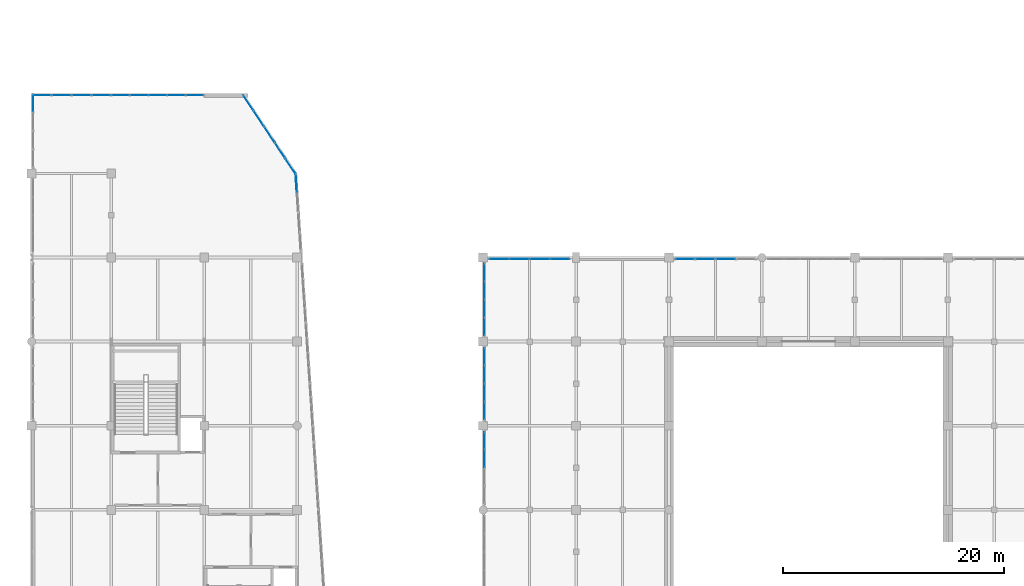
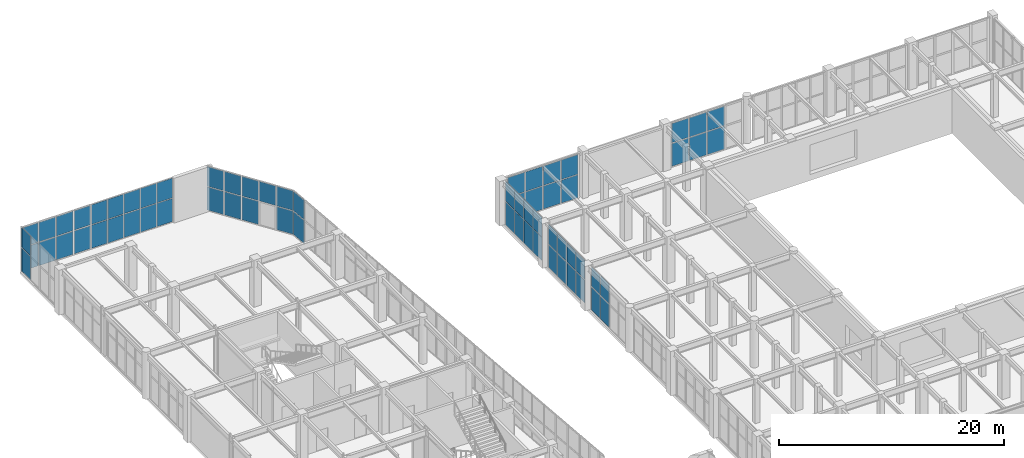
# One storey, part 100 of 128: 65 plates, 10 elements without a shape of their own.
"""IFC4 building model written with IfcOpenShell, lengths in metres."""

from ifc_helpers import new_model, si_unit, direction, frame, origin, origin_2d, place, context, subcontext, project, spatial, rectangle, extrude, material, layer, layer_set, type_object, element, aggregate, save


model = new_model("IFC4")

# Units and contexts
model_context = context("Model", 3, precision=1e-05, world=origin(), true_north=direction((0.0, 1.0)))
body_context = subcontext(model_context, "Body", "Model", "MODEL_VIEW")
ifc_project = project(units=[si_unit("LENGTHUNIT", "METRE"), si_unit("AREAUNIT", "SQUARE_METRE"), si_unit("VOLUMEUNIT", "CUBIC_METRE"), si_unit("PLANEANGLEUNIT", "RADIAN"), si_unit("MASSUNIT", "GRAM", prefix="KILO")], contexts=[model_context])

# Site, building, storey
site_placement = place(None, origin())
site = spatial("IfcSite", under=ifc_project, at=site_placement, CompositionType="ELEMENT")
building_placement = place(site_placement, origin())
building = spatial("IfcBuilding", under=site, at=building_placement, Name="Xicomal Pleat Aquarium", CompositionType="ELEMENT")
storey_placement = place(building_placement, frame((0.0, 0.0, 5.39990234375)))
storey = spatial("IfcBuildingStorey", under=building, at=storey_placement, Name="L02", CompositionType="ELEMENT", Elevation=5.39990234375)

# Curtain wall, plates
ifc_material_1 = material(Name="Bronze anodized aluminium 6063-T6", Category="aluminium")
ifc_layer_1 = layer(ifc_material_1, 0.159912109375)
ifc_layer_set_1 = layer_set([ifc_layer_1], Name="Bronze anodized aluminium 6063-T6")
curtain_wall_type_1 = type_object("IfcCurtainWallType", Name="CW-SYS-07", PredefinedType="NOTDEFINED", material=ifc_layer_set_1)
curtain_wall_1_placement = place(storey_placement, origin())
curtain_wall_1 = element("IfcCurtainWall", 1, at=curtain_wall_1_placement, inside=storey, type_object=curtain_wall_type_1, Name="L02 unitised curtain wall CW-L02-100", PredefinedType="NOTDEFINED")
ifc_material_2 = material(Name="Insulated low-E laminated glass", Category="glass")
ifc_layer_2 = layer(ifc_material_2, 0.028076171875)
ifc_layer_set_2 = layer_set([ifc_layer_2], Name="Insulated low-E laminated glass")
plate_type_1 = type_object("IfcPlateType", Name="CWP-GLZ-28", PredefinedType="CURTAIN_PANEL", material=ifc_layer_set_2)
plate_1_placement = place(storey_placement, frame((43.93994140625, 65.419921875, 0.0751953125), z_axis=(0.0, 0.0, 1.0), x_axis=(0.0, 1.0, 0.0)))
plate_1 = element("IfcPlate", 2, at=plate_1_placement, type_object=plate_type_1, Name="CW-07 panel 3.1", PredefinedType="CURTAIN_PANEL", context=body_context, shape_type="SweptSolid", body=[
    extrude(rectangle(XDim=1.56494140625, YDim=0.028076171875, at=origin_2d()), origin(), (0.0, 0.0, 1.0), 2.490478515625),
])
plate_2_placement = place(storey_placement, frame((43.93994140625, 65.419921875, 2.640625), z_axis=(0.0, 0.0, 1.0), x_axis=(0.0, 1.0, 0.0)))
plate_2 = element("IfcPlate", 3, at=plate_2_placement, type_object=plate_type_1, Name="CW-07 panel 3.2", PredefinedType="CURTAIN_PANEL", context=body_context, shape_type="SweptSolid", body=[
    extrude(rectangle(XDim=1.56494140625, YDim=0.028076171875, at=origin_2d()), origin(), (0.0, 0.0, 1.0), 2.1044921875),
])
plate_3_placement = place(storey_placement, frame((43.93994140625, 67.041259765625, 0.0751953125), z_axis=(0.0, 0.0, 1.0), x_axis=(0.0, 1.0, 0.0)))
plate_3 = element("IfcPlate", 4, at=plate_3_placement, type_object=plate_type_1, Name="CW-07 panel 4.1", PredefinedType="CURTAIN_PANEL", context=body_context, shape_type="SweptSolid", body=[
    extrude(rectangle(XDim=1.527587890625, YDim=0.028076171875, at=origin_2d()), origin(), (0.0, 0.0, 1.0), 2.490478515625),
])
plate_4_placement = place(storey_placement, frame((43.93994140625, 67.041259765625, 2.640625), z_axis=(0.0, 0.0, 1.0), x_axis=(0.0, 1.0, 0.0)))
plate_4 = element("IfcPlate", 5, at=plate_4_placement, type_object=plate_type_1, Name="CW-07 panel 4.2", PredefinedType="CURTAIN_PANEL", context=body_context, shape_type="SweptSolid", body=[
    extrude(rectangle(XDim=1.527587890625, YDim=0.028076171875, at=origin_2d()), origin(), (0.0, 0.0, 1.0), 2.1044921875),
])
aggregate(curtain_wall_1, [plate_1, plate_2, plate_3, plate_4])

ifc_material_3 = material(Name="Bronze anodized aluminium 6063-T6", Category="aluminium")
ifc_layer_3 = layer(ifc_material_3, 0.159912109375)
ifc_layer_set_3 = layer_set([ifc_layer_3], Name="Bronze anodized aluminium 6063-T6")
curtain_wall_type_2 = type_object("IfcCurtainWallType", Name="CW-SYS-12", PredefinedType="NOTDEFINED", material=ifc_layer_set_3)
curtain_wall_2_placement = place(storey_placement, origin())
curtain_wall_2 = element("IfcCurtainWall", 6, at=curtain_wall_2_placement, inside=storey, type_object=curtain_wall_type_2, Name="L02 unitised curtain wall CW-L02-104", PredefinedType="NOTDEFINED")
plate_5_placement = place(storey_placement, frame((62.061279296875, 83.4599609375, 0.085205078125), z_axis=(0.0, 0.0, 1.0), x_axis=(1.0, 0.0, 0.0)))
plate_5 = element("IfcPlate", 7, at=plate_5_placement, type_object=plate_type_1, Name="CW-12 panel 1.1", PredefinedType="CURTAIN_PANEL", context=body_context, shape_type="SweptSolid", body=[
    extrude(rectangle(XDim=1.71240234375, YDim=0.028076171875, at=origin_2d()), origin(), (0.0, 0.0, 1.0), 2.4755859375),
])
plate_6_placement = place(storey_placement, frame((62.061279296875, 83.4599609375, 2.6455078125), z_axis=(0.0, 0.0, 1.0), x_axis=(1.0, 0.0, 0.0)))
plate_6 = element("IfcPlate", 8, at=plate_6_placement, type_object=plate_type_1, Name="CW-12 panel 1.2", PredefinedType="CURTAIN_PANEL", context=body_context, shape_type="SweptSolid", body=[
    extrude(rectangle(XDim=1.71240234375, YDim=0.028076171875, at=origin_2d()), origin(), (0.0, 0.0, 1.0), 2.089599609375),
])
plate_7_placement = place(storey_placement, frame((63.8798828125, 83.4599609375, 0.085205078125), z_axis=(0.0, 0.0, 1.0), x_axis=(1.0, 0.0, 0.0)))
plate_7 = element("IfcPlate", 9, at=plate_7_placement, type_object=plate_type_1, Name="CW-12 panel 2.1", PredefinedType="CURTAIN_PANEL", context=body_context, shape_type="SweptSolid", body=[
    extrude(rectangle(XDim=1.7548828125, YDim=0.028076171875, at=origin_2d()), origin(), (0.0, 0.0, 1.0), 2.4755859375),
])
plate_8_placement = place(storey_placement, frame((63.8798828125, 83.4599609375, 2.6455078125), z_axis=(0.0, 0.0, 1.0), x_axis=(1.0, 0.0, 0.0)))
plate_8 = element("IfcPlate", 10, at=plate_8_placement, type_object=plate_type_1, Name="CW-12 panel 2.2", PredefinedType="CURTAIN_PANEL", context=body_context, shape_type="SweptSolid", body=[
    extrude(rectangle(XDim=1.7548828125, YDim=0.028076171875, at=origin_2d()), origin(), (0.0, 0.0, 1.0), 2.089599609375),
])
plate_9_placement = place(storey_placement, frame((65.719970703125, 83.4599609375, 0.085205078125), z_axis=(0.0, 0.0, 1.0), x_axis=(1.0, 0.0, 0.0)))
plate_9 = element("IfcPlate", 11, at=plate_9_placement, type_object=plate_type_1, Name="CW-12 panel 3.1", PredefinedType="CURTAIN_PANEL", context=body_context, shape_type="SweptSolid", body=[
    extrude(rectangle(XDim=1.7548828125, YDim=0.028076171875, at=origin_2d()), origin(), (0.0, 0.0, 1.0), 2.4755859375),
])
plate_10_placement = place(storey_placement, frame((65.719970703125, 83.4599609375, 2.6455078125), z_axis=(0.0, 0.0, 1.0), x_axis=(1.0, 0.0, 0.0)))
plate_10 = element("IfcPlate", 12, at=plate_10_placement, type_object=plate_type_1, Name="CW-12 panel 3.2", PredefinedType="CURTAIN_PANEL", context=body_context, shape_type="SweptSolid", body=[
    extrude(rectangle(XDim=1.7548828125, YDim=0.028076171875, at=origin_2d()), origin(), (0.0, 0.0, 1.0), 2.089599609375),
])
aggregate(curtain_wall_2, [plate_5, plate_6, plate_7, plate_8, plate_9, plate_10])

curtain_wall_3_placement = place(storey_placement, origin())
curtain_wall_3 = element("IfcCurtainWall", 13, at=curtain_wall_3_placement, inside=storey, type_object=curtain_wall_type_2, Name="L02 unitised curtain wall CW-L02-128", PredefinedType="NOTDEFINED")
plate_11_placement = place(storey_placement, frame((3.921142578125, 98.260009765625, 0.0849609375), z_axis=(0.0, 0.0, 1.0), x_axis=(1.0, 0.0, 0.0)))
plate_11 = element("IfcPlate", 14, at=plate_11_placement, type_object=plate_type_1, Name="CW-12 panel 1.1", PredefinedType="CURTAIN_PANEL", context=body_context, shape_type="SweptSolid", body=[
    extrude(rectangle(XDim=1.672607421875, YDim=0.028076171875, at=origin_2d()), origin(), (0.0, 0.0, 1.0), 2.49658203125),
])
plate_12_placement = place(storey_placement, frame((3.921142578125, 98.260009765625, 2.66650390625), z_axis=(0.0, 0.0, 1.0), x_axis=(1.0, 0.0, 0.0)))
plate_12 = element("IfcPlate", 15, at=plate_12_placement, type_object=plate_type_1, Name="CW-12 panel 1.2", PredefinedType="CURTAIN_PANEL", context=body_context, shape_type="SweptSolid", body=[
    extrude(rectangle(XDim=1.672607421875, YDim=0.028076171875, at=origin_2d()), origin(), (0.0, 0.0, 1.0), 2.1083984375),
])
plate_13_placement = place(storey_placement, frame((5.699951171875, 98.260009765625, 0.0849609375), z_axis=(0.0, 0.0, 1.0), x_axis=(1.0, 0.0, 0.0)))
plate_13 = element("IfcPlate", 16, at=plate_13_placement, type_object=plate_type_1, Name="CW-12 panel 2.1", PredefinedType="CURTAIN_PANEL", context=body_context, shape_type="SweptSolid", body=[
    extrude(rectangle(XDim=1.715087890625, YDim=0.028076171875, at=origin_2d()), origin(), (0.0, 0.0, 1.0), 2.49658203125),
])
plate_14_placement = place(storey_placement, frame((5.699951171875, 98.260009765625, 2.66650390625), z_axis=(0.0, 0.0, 1.0), x_axis=(1.0, 0.0, 0.0)))
plate_14 = element("IfcPlate", 17, at=plate_14_placement, type_object=plate_type_1, Name="CW-12 panel 2.2", PredefinedType="CURTAIN_PANEL", context=body_context, shape_type="SweptSolid", body=[
    extrude(rectangle(XDim=1.715087890625, YDim=0.028076171875, at=origin_2d()), origin(), (0.0, 0.0, 1.0), 2.1083984375),
])
plate_15_placement = place(storey_placement, frame((7.5, 98.260009765625, 0.0849609375), z_axis=(0.0, 0.0, 1.0), x_axis=(1.0, 0.0, 0.0)))
plate_15 = element("IfcPlate", 18, at=plate_15_placement, type_object=plate_type_1, Name="CW-12 panel 3.1", PredefinedType="CURTAIN_PANEL", context=body_context, shape_type="SweptSolid", body=[
    extrude(rectangle(XDim=1.715087890625, YDim=0.028076171875, at=origin_2d()), origin(), (0.0, 0.0, 1.0), 2.49658203125),
])
plate_16_placement = place(storey_placement, frame((7.5, 98.260009765625, 2.66650390625), z_axis=(0.0, 0.0, 1.0), x_axis=(1.0, 0.0, 0.0)))
plate_16 = element("IfcPlate", 19, at=plate_16_placement, type_object=plate_type_1, Name="CW-12 panel 3.2", PredefinedType="CURTAIN_PANEL", context=body_context, shape_type="SweptSolid", body=[
    extrude(rectangle(XDim=1.715087890625, YDim=0.028076171875, at=origin_2d()), origin(), (0.0, 0.0, 1.0), 2.1083984375),
])
plate_17_placement = place(storey_placement, frame((9.27880859375, 98.260009765625, 0.0849609375), z_axis=(0.0, 0.0, 1.0), x_axis=(1.0, 0.0, 0.0)))
plate_17 = element("IfcPlate", 20, at=plate_17_placement, type_object=plate_type_1, Name="CW-12 panel 4.1", PredefinedType="CURTAIN_PANEL", context=body_context, shape_type="SweptSolid", body=[
    extrude(rectangle(XDim=1.672607421875, YDim=0.028076171875, at=origin_2d()), origin(), (0.0, 0.0, 1.0), 2.49658203125),
])
plate_18_placement = place(storey_placement, frame((9.27880859375, 98.260009765625, 2.66650390625), z_axis=(0.0, 0.0, 1.0), x_axis=(1.0, 0.0, 0.0)))
plate_18 = element("IfcPlate", 21, at=plate_18_placement, type_object=plate_type_1, Name="CW-12 panel 4.2", PredefinedType="CURTAIN_PANEL", context=body_context, shape_type="SweptSolid", body=[
    extrude(rectangle(XDim=1.672607421875, YDim=0.028076171875, at=origin_2d()), origin(), (0.0, 0.0, 1.0), 2.1083984375),
])
aggregate(curtain_wall_3, [plate_11, plate_12, plate_13, plate_14, plate_15, plate_16, plate_17, plate_18])

curtain_wall_4_placement = place(storey_placement, origin())
curtain_wall_4 = element("IfcCurtainWall", 22, at=curtain_wall_4_placement, inside=storey, type_object=curtain_wall_type_2, Name="L02 unitised curtain wall CW-L02-101", PredefinedType="NOTDEFINED")
ifc_material_4 = material(Name="Insulated low-E laminated glass", Category="glass")
ifc_layer_4 = layer(ifc_material_4, 0.031982421875)
ifc_layer_set_4 = layer_set([ifc_layer_4], Name="Insulated low-E laminated glass")
plate_type_2 = type_object("IfcPlateType", Name="CWP-GLZ-32", PredefinedType="CURTAIN_PANEL", material=ifc_layer_set_4)
plate_19_placement = place(storey_placement, frame((43.93994140625, 69.76123046875, 0.085205078125), z_axis=(0.0, 0.0, 1.0), x_axis=(0.0, 1.0, 0.0)))
plate_19 = element("IfcPlate", 23, at=plate_19_placement, type_object=plate_type_2, Name="CW-12 panel 1.1", PredefinedType="CURTAIN_PANEL", context=body_context, shape_type="SweptSolid", body=[
    extrude(rectangle(XDim=1.512451171875, YDim=0.031982421875, at=origin_2d()), origin(), (0.0, 0.0, 1.0), 2.4755859375),
])
plate_20_placement = place(storey_placement, frame((43.93994140625, 69.76123046875, 2.6455078125), z_axis=(0.0, 0.0, 1.0), x_axis=(0.0, 1.0, 0.0)))
plate_20 = element("IfcPlate", 24, at=plate_20_placement, type_object=plate_type_2, Name="CW-12 panel 1.2", PredefinedType="CURTAIN_PANEL", context=body_context, shape_type="SweptSolid", body=[
    extrude(rectangle(XDim=1.512451171875, YDim=0.031982421875, at=origin_2d()), origin(), (0.0, 0.0, 1.0), 2.089599609375),
])
plate_21_placement = place(storey_placement, frame((43.93994140625, 71.3798828125, 0.085205078125), z_axis=(0.0, 0.0, 1.0), x_axis=(0.0, 1.0, 0.0)))
plate_21 = element("IfcPlate", 25, at=plate_21_placement, type_object=plate_type_2, Name="CW-12 panel 2.1", PredefinedType="CURTAIN_PANEL", context=body_context, shape_type="SweptSolid", body=[
    extrude(rectangle(XDim=1.554931640625, YDim=0.031982421875, at=origin_2d()), origin(), (0.0, 0.0, 1.0), 2.4755859375),
])
plate_22_placement = place(storey_placement, frame((43.93994140625, 71.3798828125, 2.6455078125), z_axis=(0.0, 0.0, 1.0), x_axis=(0.0, 1.0, 0.0)))
plate_22 = element("IfcPlate", 26, at=plate_22_placement, type_object=plate_type_2, Name="CW-12 panel 2.2", PredefinedType="CURTAIN_PANEL", context=body_context, shape_type="SweptSolid", body=[
    extrude(rectangle(XDim=1.554931640625, YDim=0.031982421875, at=origin_2d()), origin(), (0.0, 0.0, 1.0), 2.089599609375),
])
plate_23_placement = place(storey_placement, frame((43.93994140625, 73.02001953125, 0.085205078125), z_axis=(0.0, 0.0, 1.0), x_axis=(0.0, 1.0, 0.0)))
plate_23 = element("IfcPlate", 27, at=plate_23_placement, type_object=plate_type_2, Name="CW-12 panel 3.1", PredefinedType="CURTAIN_PANEL", context=body_context, shape_type="SweptSolid", body=[
    extrude(rectangle(XDim=1.554931640625, YDim=0.031982421875, at=origin_2d()), origin(), (0.0, 0.0, 1.0), 2.4755859375),
])
plate_24_placement = place(storey_placement, frame((43.93994140625, 73.02001953125, 2.6455078125), z_axis=(0.0, 0.0, 1.0), x_axis=(0.0, 1.0, 0.0)))
plate_24 = element("IfcPlate", 28, at=plate_24_placement, type_object=plate_type_2, Name="CW-12 panel 3.2", PredefinedType="CURTAIN_PANEL", context=body_context, shape_type="SweptSolid", body=[
    extrude(rectangle(XDim=1.554931640625, YDim=0.031982421875, at=origin_2d()), origin(), (0.0, 0.0, 1.0), 2.089599609375),
])
plate_25_placement = place(storey_placement, frame((43.93994140625, 74.638916015625, 0.085205078125), z_axis=(0.0, 0.0, 1.0), x_axis=(0.0, 1.0, 0.0)))
plate_25 = element("IfcPlate", 29, at=plate_25_placement, type_object=plate_type_2, Name="CW-12 panel 4.1", PredefinedType="CURTAIN_PANEL", context=body_context, shape_type="SweptSolid", body=[
    extrude(rectangle(XDim=1.512451171875, YDim=0.031982421875, at=origin_2d()), origin(), (0.0, 0.0, 1.0), 2.4755859375),
])
plate_26_placement = place(storey_placement, frame((43.93994140625, 74.638916015625, 2.6455078125), z_axis=(0.0, 0.0, 1.0), x_axis=(0.0, 1.0, 0.0)))
plate_26 = element("IfcPlate", 30, at=plate_26_placement, type_object=plate_type_2, Name="CW-12 panel 4.2", PredefinedType="CURTAIN_PANEL", context=body_context, shape_type="SweptSolid", body=[
    extrude(rectangle(XDim=1.512451171875, YDim=0.031982421875, at=origin_2d()), origin(), (0.0, 0.0, 1.0), 2.089599609375),
])
aggregate(curtain_wall_4, [plate_19, plate_20, plate_21, plate_22, plate_23, plate_24, plate_25, plate_26])

ifc_material_5 = material(Name="Bronze anodized aluminium 6063-T6", Category="aluminium")
ifc_layer_5 = layer(ifc_material_5, 0.159912109375)
ifc_layer_set_5 = layer_set([ifc_layer_5], Name="Bronze anodized aluminium 6063-T6")
curtain_wall_type_3 = type_object("IfcCurtainWallType", Name="CW-SYS-02", PredefinedType="NOTDEFINED", material=ifc_layer_set_5)
curtain_wall_5_placement = place(storey_placement, origin())
curtain_wall_5 = element("IfcCurtainWall", 31, at=curtain_wall_5_placement, inside=storey, type_object=curtain_wall_type_3, Name="L02 unitised curtain wall CW-L02-129", PredefinedType="NOTDEFINED")
plate_27_placement = place(storey_placement, frame((11.05615234375, 98.260009765625, 0.06494140625), z_axis=(0.0, 0.0, 1.0), x_axis=(1.0, 0.0, 0.0)))
plate_27 = element("IfcPlate", 32, at=plate_27_placement, type_object=plate_type_2, Name="CW-02 panel 1.1", PredefinedType="CURTAIN_PANEL", context=body_context, shape_type="SweptSolid", body=[
    extrude(rectangle(XDim=1.58251953125, YDim=0.031982421875, at=origin_2d()), origin(), (0.0, 0.0, 1.0), 2.526611328125),
])
plate_28_placement = place(storey_placement, frame((11.05615234375, 98.260009765625, 2.65673828125), z_axis=(0.0, 0.0, 1.0), x_axis=(1.0, 0.0, 0.0)))
plate_28 = element("IfcPlate", 33, at=plate_28_placement, type_object=plate_type_2, Name="CW-02 panel 1.2", PredefinedType="CURTAIN_PANEL", context=body_context, shape_type="SweptSolid", body=[
    extrude(rectangle(XDim=1.58251953125, YDim=0.031982421875, at=origin_2d()), origin(), (0.0, 0.0, 1.0), 2.138427734375),
])
plate_29_placement = place(storey_placement, frame((12.719970703125, 98.260009765625, 0.06494140625), z_axis=(0.0, 0.0, 1.0), x_axis=(1.0, 0.0, 0.0)))
plate_29 = element("IfcPlate", 34, at=plate_29_placement, type_object=plate_type_2, Name="CW-02 panel 2.1", PredefinedType="CURTAIN_PANEL", context=body_context, shape_type="SweptSolid", body=[
    extrude(rectangle(XDim=1.614990234375, YDim=0.031982421875, at=origin_2d()), origin(), (0.0, 0.0, 1.0), 2.526611328125),
])
plate_30_placement = place(storey_placement, frame((12.719970703125, 98.260009765625, 2.65673828125), z_axis=(0.0, 0.0, 1.0), x_axis=(1.0, 0.0, 0.0)))
plate_30 = element("IfcPlate", 35, at=plate_30_placement, type_object=plate_type_2, Name="CW-02 panel 2.2", PredefinedType="CURTAIN_PANEL", context=body_context, shape_type="SweptSolid", body=[
    extrude(rectangle(XDim=1.614990234375, YDim=0.031982421875, at=origin_2d()), origin(), (0.0, 0.0, 1.0), 2.138427734375),
])
plate_31_placement = place(storey_placement, frame((14.39990234375, 98.260009765625, 0.06494140625), z_axis=(0.0, 0.0, 1.0), x_axis=(1.0, 0.0, 0.0)))
plate_31 = element("IfcPlate", 36, at=plate_31_placement, type_object=plate_type_2, Name="CW-02 panel 3.1", PredefinedType="CURTAIN_PANEL", context=body_context, shape_type="SweptSolid", body=[
    extrude(rectangle(XDim=1.614990234375, YDim=0.031982421875, at=origin_2d()), origin(), (0.0, 0.0, 1.0), 2.526611328125),
])
plate_32_placement = place(storey_placement, frame((14.39990234375, 98.260009765625, 2.65673828125), z_axis=(0.0, 0.0, 1.0), x_axis=(1.0, 0.0, 0.0)))
plate_32 = element("IfcPlate", 37, at=plate_32_placement, type_object=plate_type_2, Name="CW-02 panel 3.2", PredefinedType="CURTAIN_PANEL", context=body_context, shape_type="SweptSolid", body=[
    extrude(rectangle(XDim=1.614990234375, YDim=0.031982421875, at=origin_2d()), origin(), (0.0, 0.0, 1.0), 2.138427734375),
])
plate_33_placement = place(storey_placement, frame((16.080078125, 98.260009765625, 0.06494140625), z_axis=(0.0, 0.0, 1.0), x_axis=(1.0, 0.0, 0.0)))
plate_33 = element("IfcPlate", 38, at=plate_33_placement, type_object=plate_type_2, Name="CW-02 panel 4.1", PredefinedType="CURTAIN_PANEL", context=body_context, shape_type="SweptSolid", body=[
    extrude(rectangle(XDim=1.614990234375, YDim=0.031982421875, at=origin_2d()), origin(), (0.0, 0.0, 1.0), 2.526611328125),
])
plate_34_placement = place(storey_placement, frame((16.080078125, 98.260009765625, 2.65673828125), z_axis=(0.0, 0.0, 1.0), x_axis=(1.0, 0.0, 0.0)))
plate_34 = element("IfcPlate", 39, at=plate_34_placement, type_object=plate_type_2, Name="CW-02 panel 4.2", PredefinedType="CURTAIN_PANEL", context=body_context, shape_type="SweptSolid", body=[
    extrude(rectangle(XDim=1.614990234375, YDim=0.031982421875, at=origin_2d()), origin(), (0.0, 0.0, 1.0), 2.138427734375),
])
plate_35_placement = place(storey_placement, frame((17.74365234375, 98.260009765625, 0.06494140625), z_axis=(0.0, 0.0, 1.0), x_axis=(1.0, 0.0, 0.0)))
plate_35 = element("IfcPlate", 40, at=plate_35_placement, type_object=plate_type_2, Name="CW-02 panel 5.1", PredefinedType="CURTAIN_PANEL", context=body_context, shape_type="SweptSolid", body=[
    extrude(rectangle(XDim=1.58251953125, YDim=0.031982421875, at=origin_2d()), origin(), (0.0, 0.0, 1.0), 2.526611328125),
])
plate_36_placement = place(storey_placement, frame((17.74365234375, 98.260009765625, 2.65673828125), z_axis=(0.0, 0.0, 1.0), x_axis=(1.0, 0.0, 0.0)))
plate_36 = element("IfcPlate", 41, at=plate_36_placement, type_object=plate_type_2, Name="CW-02 panel 5.2", PredefinedType="CURTAIN_PANEL", context=body_context, shape_type="SweptSolid", body=[
    extrude(rectangle(XDim=1.58251953125, YDim=0.031982421875, at=origin_2d()), origin(), (0.0, 0.0, 1.0), 2.138427734375),
])
aggregate(curtain_wall_5, [plate_27, plate_28, plate_29, plate_30, plate_31, plate_32, plate_33, plate_34, plate_35, plate_36])

curtain_wall_6_placement = place(storey_placement, origin())
curtain_wall_6 = element("IfcCurtainWall", 42, at=curtain_wall_6_placement, inside=storey, type_object=curtain_wall_type_3, Name="L02 unitised curtain wall CW-L02-102", PredefinedType="NOTDEFINED")
ifc_material_6 = material(Name="Insulated low-E laminated glass", Category="glass")
ifc_layer_6 = layer(ifc_material_6, 0.035888671875)
ifc_layer_set_6 = layer_set([ifc_layer_6], Name="Insulated low-E laminated glass")
plate_type_3 = type_object("IfcPlateType", Name="CWP-GLZ-36", PredefinedType="CURTAIN_PANEL", material=ifc_layer_set_6)
plate_37_placement = place(storey_placement, frame((43.93994140625, 77.356201171875, 0.06494140625), z_axis=(0.0, 0.0, 1.0), x_axis=(0.0, 1.0, 0.0)))
plate_37 = element("IfcPlate", 43, at=plate_37_placement, type_object=plate_type_3, Name="CW-02 panel 1.1", PredefinedType="CURTAIN_PANEL", context=body_context, shape_type="SweptSolid", body=[
    extrude(rectangle(XDim=1.54248046875, YDim=0.035888671875, at=origin_2d()), origin(), (0.0, 0.0, 1.0), 2.505615234375),
])
plate_38_placement = place(storey_placement, frame((43.93994140625, 77.356201171875, 2.6357421875), z_axis=(0.0, 0.0, 1.0), x_axis=(0.0, 1.0, 0.0)))
plate_38 = element("IfcPlate", 44, at=plate_38_placement, type_object=plate_type_3, Name="CW-02 panel 1.2", PredefinedType="CURTAIN_PANEL", context=body_context, shape_type="SweptSolid", body=[
    extrude(rectangle(XDim=1.54248046875, YDim=0.035888671875, at=origin_2d()), origin(), (0.0, 0.0, 1.0), 2.119384765625),
])
plate_39_placement = place(storey_placement, frame((43.93994140625, 78.97998046875, 0.06494140625), z_axis=(0.0, 0.0, 1.0), x_axis=(0.0, 1.0, 0.0)))
plate_39 = element("IfcPlate", 45, at=plate_39_placement, type_object=plate_type_3, Name="CW-02 panel 2.1", PredefinedType="CURTAIN_PANEL", context=body_context, shape_type="SweptSolid", body=[
    extrude(rectangle(XDim=1.574951171875, YDim=0.035888671875, at=origin_2d()), origin(), (0.0, 0.0, 1.0), 2.505615234375),
])
plate_40_placement = place(storey_placement, frame((43.93994140625, 78.97998046875, 2.6357421875), z_axis=(0.0, 0.0, 1.0), x_axis=(0.0, 1.0, 0.0)))
plate_40 = element("IfcPlate", 46, at=plate_40_placement, type_object=plate_type_3, Name="CW-02 panel 2.2", PredefinedType="CURTAIN_PANEL", context=body_context, shape_type="SweptSolid", body=[
    extrude(rectangle(XDim=1.574951171875, YDim=0.035888671875, at=origin_2d()), origin(), (0.0, 0.0, 1.0), 2.119384765625),
])
plate_41_placement = place(storey_placement, frame((43.93994140625, 80.6201171875, 0.06494140625), z_axis=(0.0, 0.0, 1.0), x_axis=(0.0, 1.0, 0.0)))
plate_41 = element("IfcPlate", 47, at=plate_41_placement, type_object=plate_type_3, Name="CW-02 panel 3.1", PredefinedType="CURTAIN_PANEL", context=body_context, shape_type="SweptSolid", body=[
    extrude(rectangle(XDim=1.574951171875, YDim=0.035888671875, at=origin_2d()), origin(), (0.0, 0.0, 1.0), 2.505615234375),
])
plate_42_placement = place(storey_placement, frame((43.93994140625, 80.6201171875, 2.6357421875), z_axis=(0.0, 0.0, 1.0), x_axis=(0.0, 1.0, 0.0)))
plate_42 = element("IfcPlate", 48, at=plate_42_placement, type_object=plate_type_3, Name="CW-02 panel 3.2", PredefinedType="CURTAIN_PANEL", context=body_context, shape_type="SweptSolid", body=[
    extrude(rectangle(XDim=1.574951171875, YDim=0.035888671875, at=origin_2d()), origin(), (0.0, 0.0, 1.0), 2.119384765625),
])
plate_43_placement = place(storey_placement, frame((43.93994140625, 82.243896484375, 0.06494140625), z_axis=(0.0, 0.0, 1.0), x_axis=(0.0, 1.0, 0.0)))
plate_43 = element("IfcPlate", 49, at=plate_43_placement, type_object=plate_type_3, Name="CW-02 panel 4.1", PredefinedType="CURTAIN_PANEL", context=body_context, shape_type="SweptSolid", body=[
    extrude(rectangle(XDim=1.54248046875, YDim=0.035888671875, at=origin_2d()), origin(), (0.0, 0.0, 1.0), 2.505615234375),
])
plate_44_placement = place(storey_placement, frame((43.93994140625, 82.243896484375, 2.6357421875), z_axis=(0.0, 0.0, 1.0), x_axis=(0.0, 1.0, 0.0)))
plate_44 = element("IfcPlate", 50, at=plate_44_placement, type_object=plate_type_3, Name="CW-02 panel 4.2", PredefinedType="CURTAIN_PANEL", context=body_context, shape_type="SweptSolid", body=[
    extrude(rectangle(XDim=1.54248046875, YDim=0.035888671875, at=origin_2d()), origin(), (0.0, 0.0, 1.0), 2.119384765625),
])
aggregate(curtain_wall_6, [plate_37, plate_38, plate_39, plate_40, plate_41, plate_42, plate_43, plate_44])

curtain_wall_7_placement = place(storey_placement, origin())
curtain_wall_7 = element("IfcCurtainWall", 51, at=curtain_wall_7_placement, inside=storey, type_object=curtain_wall_type_1, Name="L02 unitised curtain wall CW-L02-130", PredefinedType="NOTDEFINED")
plate_45_placement = place(storey_placement, frame((22.574462890625, 97.58642578125, 0.0751953125), z_axis=(0.0, 0.0, 1.0), x_axis=(0.554700196226, -0.832050294338, 0.0)))
plate_45 = element("IfcPlate", 52, at=plate_45_placement, type_object=plate_type_3, Name="CW-07 panel 1.1", PredefinedType="CURTAIN_PANEL", context=body_context, shape_type="SweptSolid", body=[
    extrude(rectangle(XDim=1.6181640625, YDim=0.035888671875, at=origin_2d()), origin(), (0.0, 0.0, 1.0), 2.511474609375),
])
plate_46_placement = place(storey_placement, frame((22.574462890625, 97.58642578125, 2.66162109375), z_axis=(0.0, 0.0, 1.0), x_axis=(0.554700196226, -0.832050294338, 0.0)))
plate_46 = element("IfcPlate", 53, at=plate_46_placement, type_object=plate_type_3, Name="CW-07 panel 1.2", PredefinedType="CURTAIN_PANEL", context=body_context, shape_type="SweptSolid", body=[
    extrude(rectangle(XDim=1.6181640625, YDim=0.035888671875, at=origin_2d()), origin(), (0.0, 0.0, 1.0), 2.12353515625),
])
plate_47_placement = place(storey_placement, frame((23.52392578125, 96.162109375, 0.0751953125), z_axis=(0.0, 0.0, 1.0), x_axis=(0.554700196226, -0.832050294338, 0.0)))
plate_47 = element("IfcPlate", 54, at=plate_47_placement, type_object=plate_type_3, Name="CW-07 panel 2.1", PredefinedType="CURTAIN_PANEL", context=body_context, shape_type="SweptSolid", body=[
    extrude(rectangle(XDim=1.65576171875, YDim=0.035888671875, at=origin_2d()), origin(), (0.0, 0.0, 1.0), 2.511474609375),
])
plate_48_placement = place(storey_placement, frame((23.52392578125, 96.162109375, 2.66162109375), z_axis=(0.0, 0.0, 1.0), x_axis=(0.554700196226, -0.832050294338, 0.0)))
plate_48 = element("IfcPlate", 55, at=plate_48_placement, type_object=plate_type_3, Name="CW-07 panel 2.2", PredefinedType="CURTAIN_PANEL", context=body_context, shape_type="SweptSolid", body=[
    extrude(rectangle(XDim=1.65576171875, YDim=0.035888671875, at=origin_2d()), origin(), (0.0, 0.0, 1.0), 2.12353515625),
])
plate_49_placement = place(storey_placement, frame((24.48388671875, 94.721923828125, 0.0751953125), z_axis=(0.0, 0.0, 1.0), x_axis=(0.554700196226, -0.832050294338, 0.0)))
plate_49 = element("IfcPlate", 56, at=plate_49_placement, type_object=plate_type_3, Name="CW-07 panel 3.1", PredefinedType="CURTAIN_PANEL", context=body_context, shape_type="SweptSolid", body=[
    extrude(rectangle(XDim=1.65576171875, YDim=0.035888671875, at=origin_2d()), origin(), (0.0, 0.0, 1.0), 2.511474609375),
])
plate_50_placement = place(storey_placement, frame((24.48388671875, 94.721923828125, 2.66162109375), z_axis=(0.0, 0.0, 1.0), x_axis=(0.554700196226, -0.832050294338, 0.0)))
plate_50 = element("IfcPlate", 57, at=plate_50_placement, type_object=plate_type_3, Name="CW-07 panel 3.2", PredefinedType="CURTAIN_PANEL", context=body_context, shape_type="SweptSolid", body=[
    extrude(rectangle(XDim=1.65576171875, YDim=0.035888671875, at=origin_2d()), origin(), (0.0, 0.0, 1.0), 2.12353515625),
])
plate_51_placement = place(storey_placement, frame((25.444091796875, 93.281982421875, 2.66162109375), z_axis=(0.0, 0.0, 1.0), x_axis=(0.554700196226, -0.832050294338, 0.0)))
plate_51 = element("IfcPlate", 58, at=plate_51_placement, type_object=plate_type_3, Name="CW-07 panel 4.2", PredefinedType="CURTAIN_PANEL", context=body_context, shape_type="SweptSolid", body=[
    extrude(rectangle(XDim=1.65576171875, YDim=0.035888671875, at=origin_2d()), origin(), (0.0, 0.0, 1.0), 2.12353515625),
])
plate_52_placement = place(storey_placement, frame((26.3935546875, 91.857666015625, 0.0751953125), z_axis=(0.0, 0.0, 1.0), x_axis=(0.554700196226, -0.832050294338, 0.0)))
plate_52 = element("IfcPlate", 59, at=plate_52_placement, type_object=plate_type_3, Name="CW-07 panel 5.1", PredefinedType="CURTAIN_PANEL", context=body_context, shape_type="SweptSolid", body=[
    extrude(rectangle(XDim=1.6181640625, YDim=0.035888671875, at=origin_2d()), origin(), (0.0, 0.0, 1.0), 2.511474609375),
])
plate_53_placement = place(storey_placement, frame((26.3935546875, 91.857666015625, 2.66162109375), z_axis=(0.0, 0.0, 1.0), x_axis=(0.554700196226, -0.832050294338, 0.0)))
plate_53 = element("IfcPlate", 60, at=plate_53_placement, type_object=plate_type_3, Name="CW-07 panel 5.2", PredefinedType="CURTAIN_PANEL", context=body_context, shape_type="SweptSolid", body=[
    extrude(rectangle(XDim=1.6181640625, YDim=0.035888671875, at=origin_2d()), origin(), (0.0, 0.0, 1.0), 2.12353515625),
])
aggregate(curtain_wall_7, [plate_45, plate_46, plate_47, plate_48, plate_49, plate_50, plate_51, plate_52, plate_53])

curtain_wall_8_placement = place(storey_placement, origin())
curtain_wall_8 = element("IfcCurtainWall", 61, at=curtain_wall_8_placement, inside=storey, type_object=curtain_wall_type_1, Name="L02 unitised curtain wall CW-L02-103", PredefinedType="NOTDEFINED")
ifc_material_7 = material(Name="Insulated low-E laminated glass", Category="glass")
ifc_layer_7 = layer(ifc_material_7, 0.0419921875)
ifc_layer_set_7 = layer_set([ifc_layer_7], Name="Insulated low-E laminated glass")
plate_type_4 = type_object("IfcPlateType", Name="CWP-GLZ-42", PredefinedType="CURTAIN_PANEL", material=ifc_layer_set_7)
plate_54_placement = place(storey_placement, frame((45.2587890625, 83.4599609375, 0.0751953125), z_axis=(0.0, 0.0, 1.0), x_axis=(1.0, 0.0, 0.0)))
plate_54 = element("IfcPlate", 62, at=plate_54_placement, type_object=plate_type_4, Name="CW-07 panel 1.1", PredefinedType="CURTAIN_PANEL", context=body_context, shape_type="SweptSolid", body=[
    extrude(rectangle(XDim=1.7275390625, YDim=0.0419921875, at=origin_2d()), origin(), (0.0, 0.0, 1.0), 2.490478515625),
])
plate_55_placement = place(storey_placement, frame((45.2587890625, 83.4599609375, 2.640625), z_axis=(0.0, 0.0, 1.0), x_axis=(1.0, 0.0, 0.0)))
plate_55 = element("IfcPlate", 63, at=plate_55_placement, type_object=plate_type_4, Name="CW-07 panel 1.2", PredefinedType="CURTAIN_PANEL", context=body_context, shape_type="SweptSolid", body=[
    extrude(rectangle(XDim=1.7275390625, YDim=0.0419921875, at=origin_2d()), origin(), (0.0, 0.0, 1.0), 2.1044921875),
])
plate_56_placement = place(storey_placement, frame((47.080078125, 83.4599609375, 0.0751953125), z_axis=(0.0, 0.0, 1.0), x_axis=(1.0, 0.0, 0.0)))
plate_56 = element("IfcPlate", 64, at=plate_56_placement, type_object=plate_type_4, Name="CW-07 panel 2.1", PredefinedType="CURTAIN_PANEL", context=body_context, shape_type="SweptSolid", body=[
    extrude(rectangle(XDim=1.764892578125, YDim=0.0419921875, at=origin_2d()), origin(), (0.0, 0.0, 1.0), 2.490478515625),
])
plate_57_placement = place(storey_placement, frame((47.080078125, 83.4599609375, 2.640625), z_axis=(0.0, 0.0, 1.0), x_axis=(1.0, 0.0, 0.0)))
plate_57 = element("IfcPlate", 65, at=plate_57_placement, type_object=plate_type_4, Name="CW-07 panel 2.2", PredefinedType="CURTAIN_PANEL", context=body_context, shape_type="SweptSolid", body=[
    extrude(rectangle(XDim=1.764892578125, YDim=0.0419921875, at=origin_2d()), origin(), (0.0, 0.0, 1.0), 2.1044921875),
])
plate_58_placement = place(storey_placement, frame((48.919921875, 83.4599609375, 0.0751953125), z_axis=(0.0, 0.0, 1.0), x_axis=(1.0, 0.0, 0.0)))
plate_58 = element("IfcPlate", 66, at=plate_58_placement, type_object=plate_type_4, Name="CW-07 panel 3.1", PredefinedType="CURTAIN_PANEL", context=body_context, shape_type="SweptSolid", body=[
    extrude(rectangle(XDim=1.764892578125, YDim=0.0419921875, at=origin_2d()), origin(), (0.0, 0.0, 1.0), 2.490478515625),
])
plate_59_placement = place(storey_placement, frame((48.919921875, 83.4599609375, 2.640625), z_axis=(0.0, 0.0, 1.0), x_axis=(1.0, 0.0, 0.0)))
plate_59 = element("IfcPlate", 67, at=plate_59_placement, type_object=plate_type_4, Name="CW-07 panel 3.2", PredefinedType="CURTAIN_PANEL", context=body_context, shape_type="SweptSolid", body=[
    extrude(rectangle(XDim=1.764892578125, YDim=0.0419921875, at=origin_2d()), origin(), (0.0, 0.0, 1.0), 2.1044921875),
])
plate_60_placement = place(storey_placement, frame((50.7412109375, 83.4599609375, 0.0751953125), z_axis=(0.0, 0.0, 1.0), x_axis=(1.0, 0.0, 0.0)))
plate_60 = element("IfcPlate", 68, at=plate_60_placement, type_object=plate_type_4, Name="CW-07 panel 4.1", PredefinedType="CURTAIN_PANEL", context=body_context, shape_type="SweptSolid", body=[
    extrude(rectangle(XDim=1.7275390625, YDim=0.0419921875, at=origin_2d()), origin(), (0.0, 0.0, 1.0), 2.490478515625),
])
plate_61_placement = place(storey_placement, frame((50.7412109375, 83.4599609375, 2.640625), z_axis=(0.0, 0.0, 1.0), x_axis=(1.0, 0.0, 0.0)))
plate_61 = element("IfcPlate", 69, at=plate_61_placement, type_object=plate_type_4, Name="CW-07 panel 4.2", PredefinedType="CURTAIN_PANEL", context=body_context, shape_type="SweptSolid", body=[
    extrude(rectangle(XDim=1.7275390625, YDim=0.0419921875, at=origin_2d()), origin(), (0.0, 0.0, 1.0), 2.1044921875),
])
aggregate(curtain_wall_8, [plate_54, plate_55, plate_56, plate_57, plate_58, plate_59, plate_60, plate_61])

curtain_wall_9_placement = place(storey_placement, origin())
curtain_wall_9 = element("IfcCurtainWall", 70, at=curtain_wall_9_placement, inside=storey, type_object=curtain_wall_type_1, Name="L02 unitised curtain wall CW-L02-127", PredefinedType="NOTDEFINED")
plate_62_placement = place(storey_placement, frame((3.139892578125, 97.54638671875, 0.0751953125), z_axis=(0.0, 0.0, 1.0), x_axis=(0.0, 1.0, 0.0)))
plate_62 = element("IfcPlate", 71, at=plate_62_placement, type_object=plate_type_4, Name="CW-07 panel 4.1", PredefinedType="CURTAIN_PANEL", context=body_context, shape_type="SweptSolid", body=[
    extrude(rectangle(XDim=1.5576171875, YDim=0.0419921875, at=origin_2d()), origin(), (0.0, 0.0, 1.0), 2.511474609375),
])
plate_63_placement = place(storey_placement, frame((3.139892578125, 97.54638671875, 2.66162109375), z_axis=(0.0, 0.0, 1.0), x_axis=(0.0, 1.0, 0.0)))
plate_63 = element("IfcPlate", 72, at=plate_63_placement, type_object=plate_type_4, Name="CW-07 panel 4.2", PredefinedType="CURTAIN_PANEL", context=body_context, shape_type="SweptSolid", body=[
    extrude(rectangle(XDim=1.5576171875, YDim=0.0419921875, at=origin_2d()), origin(), (0.0, 0.0, 1.0), 2.12353515625),
])
aggregate(curtain_wall_9, [plate_62, plate_63])

curtain_wall_10_placement = place(storey_placement, origin())
curtain_wall_10 = element("IfcCurtainWall", 73, at=curtain_wall_10_placement, inside=storey, type_object=curtain_wall_type_2, Name="L02 unitised curtain wall CW-L02-131", PredefinedType="NOTDEFINED")
plate_64_placement = place(storey_placement, frame((26.921142578125, 90.288818359375, 0.0849609375), z_axis=(0.0, 0.0, 1.0), x_axis=(0.067533844372, -0.997716983851, 0.0)))
plate_64 = element("IfcPlate", 74, at=plate_64_placement, type_object=plate_type_4, Name="CW-12 panel 1.1", PredefinedType="CURTAIN_PANEL", context=body_context, shape_type="SweptSolid", body=[
    extrude(rectangle(XDim=1.63818359375, YDim=0.0419921875, at=origin_2d()), origin(), (0.0, 0.0, 1.0), 2.49658203125),
])
plate_65_placement = place(storey_placement, frame((26.921142578125, 90.288818359375, 2.66650390625), z_axis=(0.0, 0.0, 1.0), x_axis=(0.067533844372, -0.997716983851, 0.0)))
plate_65 = element("IfcPlate", 75, at=plate_65_placement, type_object=plate_type_4, Name="CW-12 panel 1.2", PredefinedType="CURTAIN_PANEL", context=body_context, shape_type="SweptSolid", body=[
    extrude(rectangle(XDim=1.63818359375, YDim=0.0419921875, at=origin_2d()), origin(), (0.0, 0.0, 1.0), 2.1083984375),
])
aggregate(curtain_wall_10, [plate_64, plate_65])

save(model, "model.ifc")
